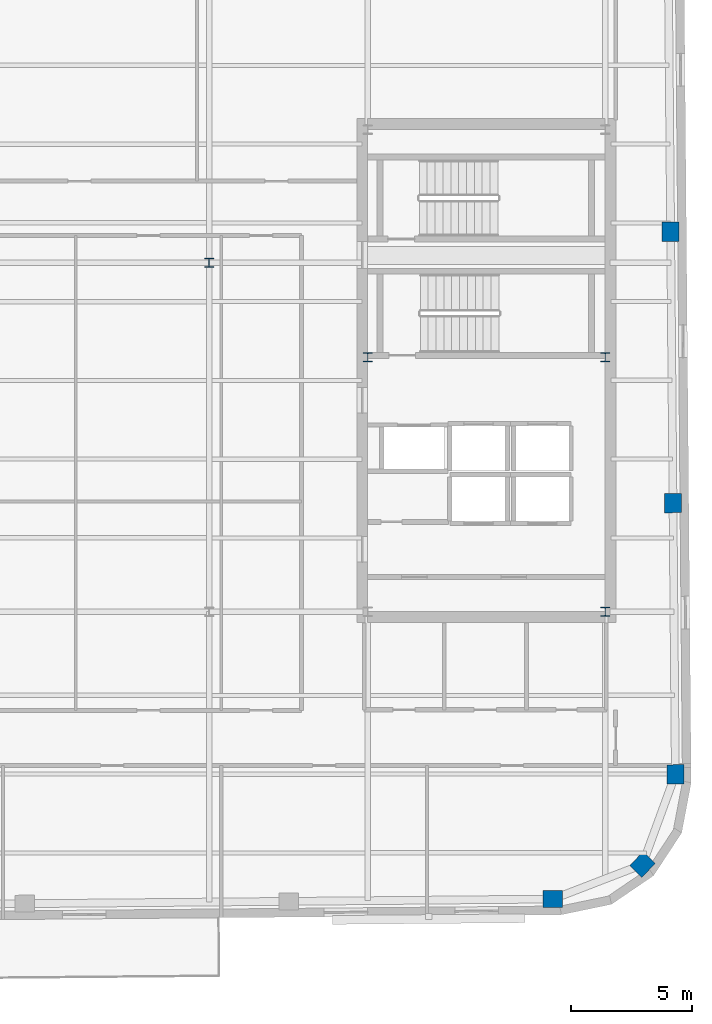
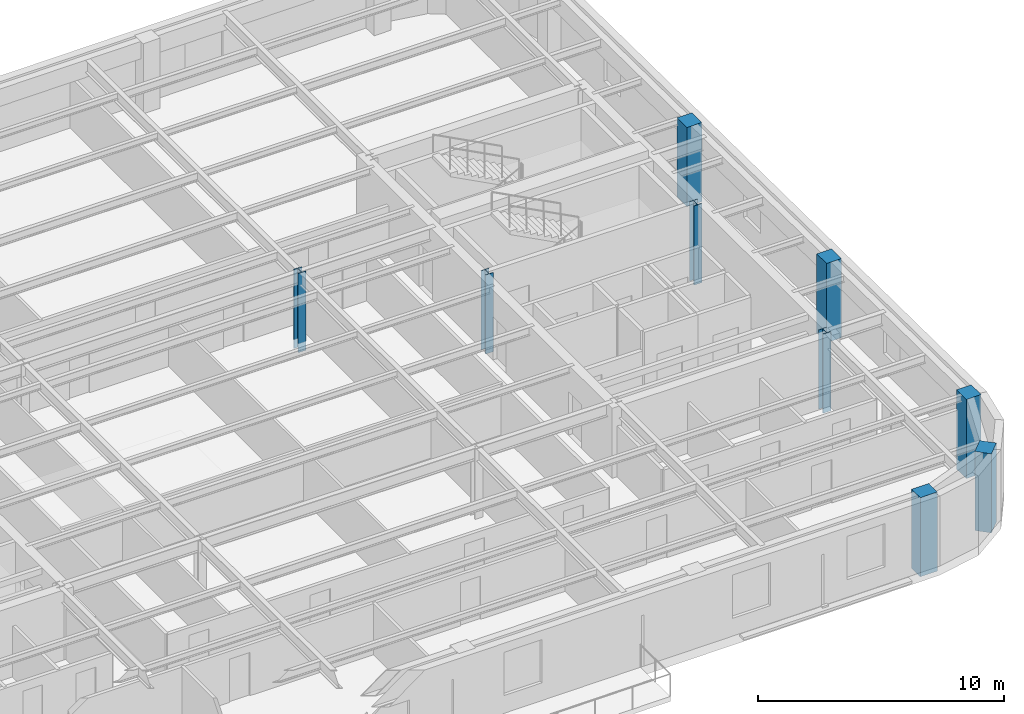
# One storey, part 2 of 14: 9 columns.
"""IFC4 building model written with IfcOpenShell, lengths in metres."""

from ifc_helpers import new_model, si_unit, direction, frame, origin, origin_2d, place, context, subcontext, project, spatial, rectangle, i_section, extrude, material, material_profile, profile_set, type_object, element, save


model = new_model("IFC4")

# Units and contexts
model_context = context("Model", 3, precision=1e-05, world=origin(), true_north=direction((0.0, 1.0)))
body_context = subcontext(model_context, "Body", "Model", "MODEL_VIEW")
ifc_project = project(units=[si_unit("LENGTHUNIT", "METRE"), si_unit("AREAUNIT", "SQUARE_METRE"), si_unit("VOLUMEUNIT", "CUBIC_METRE"), si_unit("PLANEANGLEUNIT", "RADIAN"), si_unit("MASSUNIT", "GRAM", prefix="KILO")], contexts=[model_context])

# Site, building, storey
site_placement = place(None, origin())
site = spatial("IfcSite", under=ifc_project, at=site_placement, CompositionType="ELEMENT")
building_placement = place(site_placement, origin())
building = spatial("IfcBuilding", under=site, at=building_placement, Name="Kolvaren Arena Tower", CompositionType="ELEMENT")
storey_placement = place(building_placement, frame((0.0, 0.0, 274.89990234375)))
storey = spatial("IfcBuildingStorey", under=building, at=storey_placement, Name="L67", CompositionType="ELEMENT", Elevation=274.89990234375)

# Columns
ifc_material_1 = material(Name="Precast concrete C50/60", Category="concrete")
ifc_material_profile_1 = material_profile(ifc_material_1, rectangle(XDim=0.800048828125, YDim=0.699951171875, at=origin_2d()), Name="RC-800x700")
ifc_profile_set_1 = profile_set([ifc_material_profile_1], Name="Precast concrete C50/60")
column_type_1 = type_object("IfcColumnType", Name="EXCOL-Z5", PredefinedType="COLUMN", material=ifc_profile_set_1)
for number, where, z_axis, x_axis, name in (
    (1, (58.190185546875, 7.591064453125, -0.449951171875), (0.0, 0.0, 1.0), (0.999961923064, 0.008726535498, 0.0), "Exoskeleton Perimeter Column 05 (L67)"),
    (2, (61.88671875, 9.0146484375, -0.449951171875), (0.0, 0.0, 1.0), (0.7009092643, 0.713250449154, 0.0), "Exoskeleton Perimeter Column 06 (L67)"),
    (3, (63.24560546875, 12.7353515625, -0.449951171875), (0.0, 0.0, 1.0), (-0.008726535498, 0.999961923064, 0.0), "Exoskeleton Perimeter Column 07 (L67)"),
    (4, (63.147705078125, 23.93505859375, -0.449951171875), (0.0, 0.0, 1.0), (-0.008726535498, 0.999961923064, 0.0), "Exoskeleton Perimeter Column 08 (L67)"),
    (5, (63.050048828125, 35.134521484375, -0.449951171875), (0.0, 0.0, 1.0), (-0.008726535498, 0.999961923064, 0.0), "Exoskeleton Perimeter Column 09 (L67)"),
):
    element("IfcColumn", number, at=place(storey_placement, frame(where, z_axis=z_axis, x_axis=x_axis)), inside=storey, type_object=column_type_1, Name=name, PredefinedType="COLUMN", context=body_context, shape_type="SweptSolid", body=[
        extrude(rectangle(XDim=0.800048828125, YDim=0.699951171875, at=origin_2d()), origin(), (0.0, 0.0, 1.0), 3.929931640625),
    ])
ifc_material_2 = material(Name="Steel ASTM A913 Grade 65", Category="steel")
ifc_material_profile_2 = material_profile(ifc_material_2, i_section(OverallWidth=0.3740234375, OverallDepth=0.3720703125, WebThickness=0.016357421875, FlangeThickness=0.026123046875, FilletRadius=0.02001953125, at=origin_2d()), Name="W360x196")
ifc_profile_set_2 = profile_set([ifc_material_profile_2], Name="Steel ASTM A913 Grade 65")
column_type_2 = type_object("IfcColumnType", Name="SCOL-Z5", PredefinedType="COLUMN", material=ifc_profile_set_2)
for number, where, z_axis, x_axis, name in (
    (6, (60.35009765625, 19.449951171875, -0.449951171875), (0.0, 0.0, 1.0), (1.0, 0.0, 0.0), "Core Boundary Column EC-SE (L67)"),
    (7, (50.550048828125, 29.949951171875, -0.449951171875), (0.0, 0.0, 1.0), (1.0, 0.0, 0.0), "Core Boundary Column EC-MW (L67)"),
    (8, (60.35009765625, 29.949951171875, -0.449951171875), (0.0, 0.0, 1.0), (1.0, 0.0, 0.0), "Core Boundary Column EC-ME (L67)"),
    (9, (44.0, 33.85009765625, -0.449951171875), (0.0, 0.0, 1.0), (1.0, 0.0, 0.0), "Interior Gravity Column TC-NE (L67)"),
):
    element("IfcColumn", number, at=place(storey_placement, frame(where, z_axis=z_axis, x_axis=x_axis)), inside=storey, type_object=column_type_2, Name=name, PredefinedType="COLUMN", context=body_context, shape_type="SweptSolid", body=[
        extrude(i_section(OverallWidth=0.3740234375, OverallDepth=0.3720703125, WebThickness=0.016357421875, FlangeThickness=0.026123046875, FilletRadius=0.02001953125, at=origin_2d()), origin(), (0.0, 0.0, 1.0), 3.929931640625),
    ])

save(model, "model.ifc")
